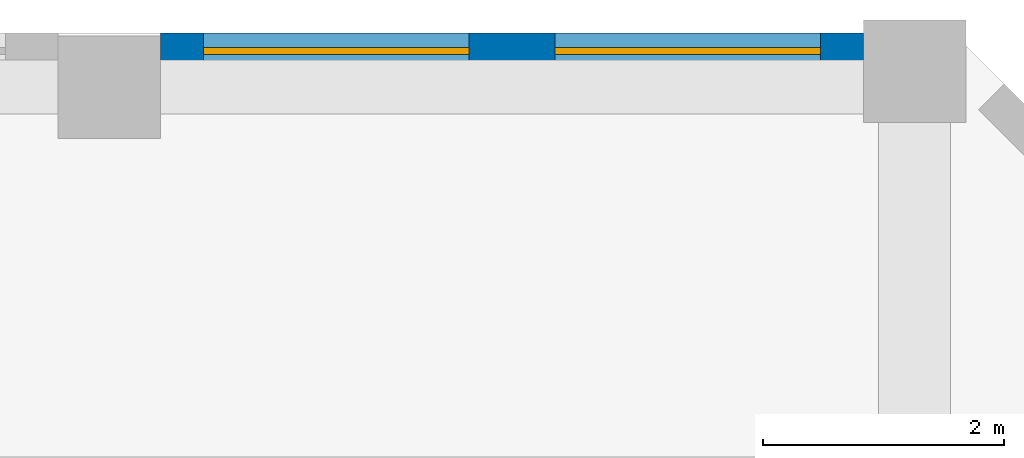
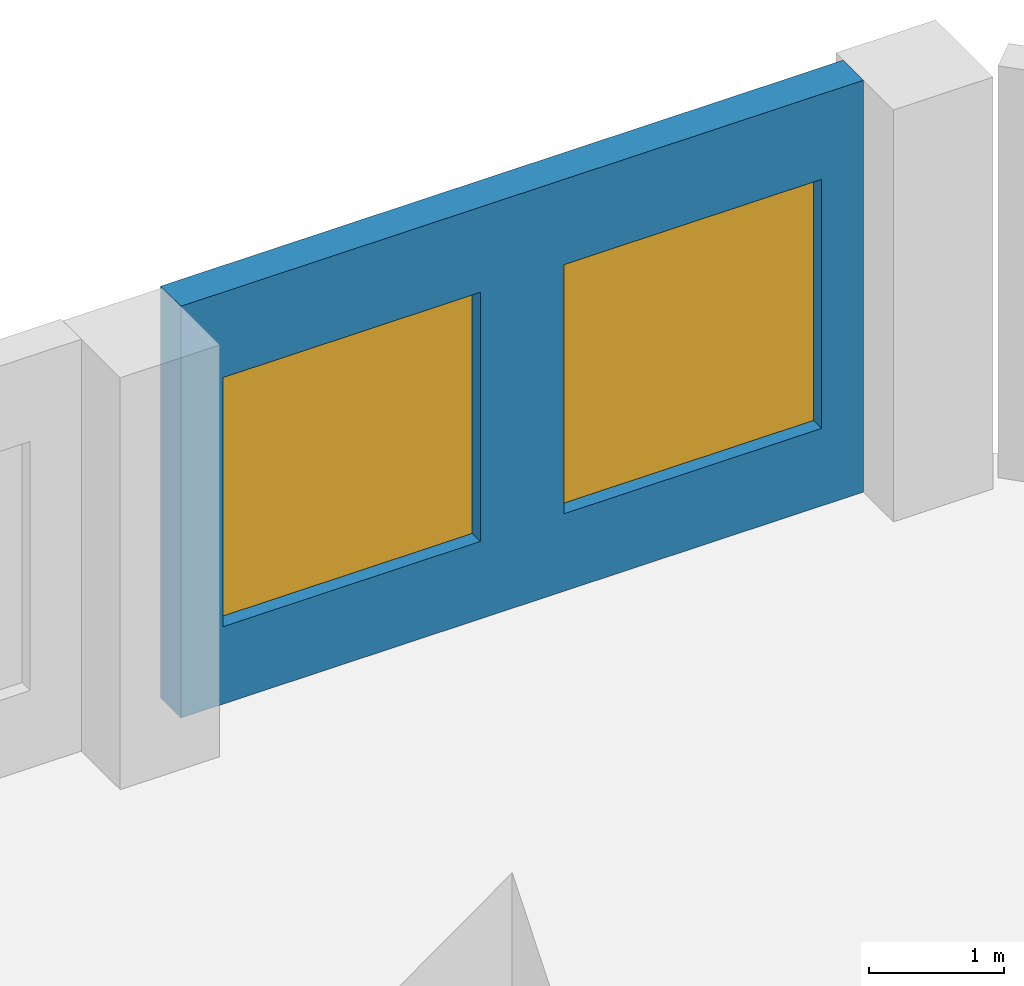
# One storey, part 18 of 27: 2 windows, 1 wall, 2 openings.
"""IFC4 building model written with IfcOpenShell, lengths in metres."""

import ifcopenshell
import ifcopenshell.guid

model = None  # the IFC model being written
_history = None  # IfcOwnerHistory: only IFC2X3 demands one
_inside = {}  # id of a spatial element -> (the spatial element, [elements in it])
_under = {}  # id of a project, library or spatial element -> (it, [spatial elements below it])
_declared = {}  # id of a project -> (the project, [libraries it declares])
_typed = {}  # id of a type object -> (the type object, [elements of that type])
_made_of = {}  # id of a material, layer set ... -> (it, [elements and type objects made of it])


def new_model(schema):
    """Start an empty IFC model of exactly this schema.

    Asked for "IFC4X3", IfcOpenShell would pick the latest addendum, in which some entities
    have other attributes; the version numbers below select the first issue.
    IFC2X3 requires an IfcOwnerHistory on every rooted entity: one is made here for all.
    """
    global model, _history
    if schema == "IFC4X3":
        model = ifcopenshell.file(schema_version=(4, 3, 0, 0))
    else:
        model = ifcopenshell.file(schema=schema)
    _inside.clear()
    _under.clear()
    _declared.clear()
    _typed.clear()
    _made_of.clear()
    _history = None
    if model.schema == "IFC2X3":
        org = make("IfcOrganization", Name="unknown")
        user = make(
            "IfcPersonAndOrganization",
            ThePerson=make("IfcPerson", FamilyName="unknown"),
            TheOrganization=org,
        )
        app = make(
            "IfcApplication",
            ApplicationDeveloper=org,
            Version="unknown",
            ApplicationFullName="unknown",
            ApplicationIdentifier="unknown",
        )
        _history = make(
            "IfcOwnerHistory",
            OwningUser=user,
            OwningApplication=app,
            ChangeAction="ADDED",
            CreationDate=0,
        )
    return model


def make(cls, **values):
    """One entity of the class cls with the attributes given. An attribute that is None is left unset."""
    return model.create_entity(
        cls, **{name: value for name, value in values.items() if value is not None}
    )


def rooted(cls, **values):
    """An entity with a GlobalId (a new one), such as an element, a storey or a relation."""
    return make(cls, GlobalId=ifcopenshell.guid.new(), OwnerHistory=_history, **values)


def si_unit(unit_type, name, prefix=None):
    """IfcSIUnit, for example si_unit("LENGTHUNIT", "METRE", prefix="MILLI")."""
    return make("IfcSIUnit", UnitType=unit_type, Prefix=prefix, Name=name)


def assignment(units):
    """IfcUnitAssignment: the units of a project."""
    return None if units is None else make("IfcUnitAssignment", Units=units)


def point(xyz):
    """IfcCartesianPoint."""
    return None if xyz is None else make("IfcCartesianPoint", Coordinates=xyz)


def direction(xyz):
    """IfcDirection."""
    return None if xyz is None else make("IfcDirection", DirectionRatios=xyz)


def frame(location, z_axis=None, x_axis=None):
    """IfcAxis2Placement3D, a coordinate frame: its origin and axes. An axis left out is left unset."""
    return make(
        "IfcAxis2Placement3D",
        Location=point(location),
        Axis=direction(z_axis),
        RefDirection=direction(x_axis),
    )


def frame_2d(location, x_axis=None):
    """IfcAxis2Placement2D, a coordinate frame in the plane: its origin and x axis."""
    return make(
        "IfcAxis2Placement2D", Location=point(location), RefDirection=direction(x_axis)
    )


def origin():
    """The frame at (0, 0, 0) with its axes left unset."""
    return frame((0.0, 0.0, 0.0))


def place(relative_to, where):
    """IfcLocalPlacement: puts the frame where relative to a parent placement (None: the world)."""
    return make(
        "IfcLocalPlacement", PlacementRelTo=relative_to, RelativePlacement=where
    )


def context(
    kind, dimensions, precision=None, world=None, true_north=None, identifier=None
):
    """IfcGeometricRepresentationContext, for example the 3D "Model" context."""
    return make(
        "IfcGeometricRepresentationContext",
        ContextIdentifier=identifier,
        ContextType=kind,
        CoordinateSpaceDimension=dimensions,
        Precision=precision,
        WorldCoordinateSystem=world,
        TrueNorth=true_north,
    )


def subcontext(parent, identifier, kind, view, scale=None):
    """IfcGeometricRepresentationSubContext, for example "Body" below "Model"."""
    return make(
        "IfcGeometricRepresentationSubContext",
        ContextIdentifier=identifier,
        ContextType=kind,
        ParentContext=parent,
        TargetScale=scale,
        TargetView=view,
    )


def project(units=None, contexts=None):
    """IfcProject with its units and contexts."""
    return rooted(
        "IfcProject",
        Name="project",
        RepresentationContexts=contexts,
        UnitsInContext=assignment(units),
    )


def spatial(cls, under=None, at=None, **own):
    """A site, building, storey or space (cls), placed at a placement, below another one or the project."""
    s = rooted(cls, ObjectPlacement=at, **own)
    if under is not None:
        _under.setdefault(under.id(), (under, []))[1].append(s)
    return s


def profile(cls, at=None, kind="AREA", **sizes):
    """A parametric profile (cls). Its sizes go by their IFC names, for example OverallWidth=200.0."""
    return make(cls, ProfileType=kind, Position=at, **sizes)


def rectangle(**sizes):
    """IfcRectangleProfileDef."""
    return profile("IfcRectangleProfileDef", **sizes)


def extrude(swept, where, along, depth):
    """IfcExtrudedAreaSolid: the profile swept, set in the frame where, extruded along a direction by depth."""
    return make(
        "IfcExtrudedAreaSolid",
        SweptArea=swept,
        Position=where,
        ExtrudedDirection=direction(along),
        Depth=depth,
    )


def shape(context_of_items, identifier, shape_type, items):
    """IfcShapeRepresentation: the items that make up one representation, for example the "Body"."""
    return make(
        "IfcShapeRepresentation",
        ContextOfItems=context_of_items,
        RepresentationIdentifier=identifier,
        RepresentationType=shape_type,
        Items=items,
    )


def source(mapping_origin, context_of_items, identifier, shape_type, items):
    """IfcRepresentationMap: a shape defined once, which mapped items show again and again."""
    return make(
        "IfcRepresentationMap",
        MappingOrigin=mapping_origin,
        MappedRepresentation=shape(context_of_items, identifier, shape_type, items),
    )


def transform(
    local_origin,
    x_axis=None,
    y_axis=None,
    z_axis=None,
    scale=None,
    scale2=None,
    scale3=None,
    uniform=True,
):
    """IfcCartesianTransformationOperator3D, or its non-uniform kind. x_axis, y_axis, z_axis: its Axis1, 2, 3."""
    if uniform:
        return make(
            "IfcCartesianTransformationOperator3D",
            Axis1=direction(x_axis),
            Axis2=direction(y_axis),
            LocalOrigin=point(local_origin),
            Scale=scale,
            Axis3=direction(z_axis),
        )
    return make(
        "IfcCartesianTransformationOperator3DnonUniform",
        Axis1=direction(x_axis),
        Axis2=direction(y_axis),
        LocalOrigin=point(local_origin),
        Scale=scale,
        Axis3=direction(z_axis),
        Scale2=scale2,
        Scale3=scale3,
    )


def mapped(mapping_source, mapping_target):
    """IfcMappedItem: shows the shape of a source again, moved by a transform."""
    return make(
        "IfcMappedItem", MappingSource=mapping_source, MappingTarget=mapping_target
    )


def material(Name=None, Category=None):
    """IfcMaterial."""
    return make("IfcMaterial", Name=Name, Category=Category)


def layer(
    of_material, thickness, ventilated=None, Name=None, Category=None, Priority=None
):
    """IfcMaterialLayer: one layer of a wall or slab, of a material (None: an air gap)."""
    return make(
        "IfcMaterialLayer",
        Material=of_material,
        LayerThickness=thickness,
        IsVentilated=ventilated,
        Name=Name,
        Category=Category,
        Priority=Priority,
    )


def layer_set(layers, Name=None):
    """IfcMaterialLayerSet."""
    return make("IfcMaterialLayerSet", MaterialLayers=layers, LayerSetName=Name)


def made_of(thing, what):
    """Note that an element or type object is made of a material, layer set ...; save() writes the relation."""
    if what is not None:
        _made_of.setdefault(what.id(), (what, []))[1].append(thing)
    return thing


def type_object(cls, material=None, **own):
    """A type object (cls), such as IfcWallType, which elements share."""
    return made_of(rooted(cls, **own), material)


def element(
    cls,
    number,
    at=None,
    inside=None,
    cuts=None,
    type_object=None,
    material=None,
    context=None,
    identifier="Body",
    shape_type=None,
    held_by="IfcProductDefinitionShape",
    body=None,
    shapes=None,
    **own,
):
    """One element of the class cls, such as IfcWall. Its Tag is "e" and its number.

    at: its placement. inside: the storey or other place that contains it. cuts: it is an
    opening in that element (IfcRelVoidsElement). A single representation is given by context,
    identifier, shape_type and body (its items); several are given by shapes. held_by: the class
    of the entity that holds the representations. save() writes the other relations.
    """
    e = rooted(cls, Tag="e%d" % number, ObjectPlacement=at, **own)
    if body is not None:
        shapes = [shape(context, identifier, shape_type, body)]
    if shapes is not None:
        e.Representation = make(held_by, Representations=shapes)
    if inside is not None:
        _inside.setdefault(inside.id(), (inside, []))[1].append(e)
    if cuts is not None:
        rooted(
            "IfcRelVoidsElement", RelatingBuildingElement=cuts, RelatedOpeningElement=e
        )
    if type_object is not None:
        _typed.setdefault(type_object.id(), (type_object, []))[1].append(e)
    return made_of(e, material)


def fill(opening, filler):
    """IfcRelFillsElement: the door or window that sits in an opening."""
    return rooted(
        "IfcRelFillsElement",
        RelatingOpeningElement=opening,
        RelatedBuildingElement=filler,
    )


def aggregate(whole, parts):
    """IfcRelAggregates: a whole, such as a stair, and the parts it consists of."""
    return rooted("IfcRelAggregates", RelatingObject=whole, RelatedObjects=parts)


def save(model, path):
    """Write the relations noted so far, then the file.

    IfcRelAggregates (storeys below a building ...), IfcRelContainedInSpatialStructure (elements
    in a storey), IfcRelDefinesByType, IfcRelAssociatesMaterial and IfcRelDeclares: one each for
    every whole, place, type object, material and project.
    """
    for whole, parts in _under.values():
        aggregate(whole, parts)
    for where, things in _inside.values():
        rooted(
            "IfcRelContainedInSpatialStructure",
            RelatedElements=things,
            RelatingStructure=where,
        )
    for kind, things in _typed.values():
        rooted("IfcRelDefinesByType", RelatedObjects=things, RelatingType=kind)
    for what, things in _made_of.values():
        rooted("IfcRelAssociatesMaterial", RelatedObjects=things, RelatingMaterial=what)
    for by, libraries in _declared.values():
        rooted("IfcRelDeclares", RelatingContext=by, RelatedDefinitions=libraries)
    model.write(path)


model = new_model("IFC4")

# Units and contexts
model_context = context("Model", 3, precision=1e-05, world=origin(), true_north=direction((0.0, 1.0)))
body_context = subcontext(model_context, "Body", "Model", "MODEL_VIEW")
ifc_project = project(units=[si_unit("LENGTHUNIT", "METRE"), si_unit("AREAUNIT", "SQUARE_METRE"), si_unit("VOLUMEUNIT", "CUBIC_METRE"), si_unit("PLANEANGLEUNIT", "RADIAN"), si_unit("MASSUNIT", "GRAM", prefix="KILO")], contexts=[model_context])

# Site, building, storey
site_placement = place(None, origin())
site = spatial("IfcSite", under=ifc_project, at=site_placement, CompositionType="ELEMENT")
building_placement = place(site_placement, origin())
building = spatial("IfcBuilding", under=site, at=building_placement, Name="Kilnfold Tower and Market Hall", CompositionType="ELEMENT")
storey_placement = place(building_placement, frame((0.0, 0.0, 116.60009765625)))
storey = spatial("IfcBuildingStorey", under=building, at=storey_placement, Name="L27", CompositionType="ELEMENT", Elevation=116.60009765625)

# Wall, openings, windows
ifc_material_1 = material(Name="Precast concrete C50/60", Category="concrete")
ifc_layer = layer(ifc_material_1, 0.300048828125)
ifc_layer_set = layer_set([ifc_layer], Name="Precast concrete C50/60")
wall_type = type_object("IfcWallType", Name="PRECAST WALL 300", PredefinedType="SOLIDWALL", material=ifc_layer_set)
shared_shape = source(origin(), body_context, "Body", "SweptSolid", [
    extrude(rectangle(XDim=5.831787109375, YDim=0.300048828125, at=frame_2d((2.916015625, 0.0))), origin(), (0.0, 0.0, 1.0), 3.719970703125),
])
wall_placement = place(storey_placement, frame((28.7568359375, 32.85009765625, 0.0), z_axis=(0.0, 0.0, 1.0), x_axis=(-1.0, 0.0, 0.0)))
wall = element("IfcWall", 1, at=wall_placement, inside=storey, type_object=wall_type, Name="External wall L27 N", PredefinedType="SOLIDWALL", context=body_context, shape_type="MappedRepresentation", body=[
    mapped(shared_shape, transform((0.0, 0.0, 0.0))),
])
opening_1_placement = place(wall_placement, frame((0.35791015625, 0.0, 0.699951171875)))
opening_1 = element("IfcOpeningElement", 2, at=opening_1_placement, cuts=wall, Name="Opening W1", PredefinedType="OPENING", context=body_context, shape_type="SweptSolid", body=[
    extrude(rectangle(XDim=2.199951171875, YDim=2.25, at=frame_2d((1.10009765625, 1.125))), frame((0.0, 0.16015625, 0.0), z_axis=(0.0, -1.0, 0.0), x_axis=(1.0, 0.0, 0.0)), (0.0, 0.0, 1.0), 0.320068359375),
])
opening_2_placement = place(wall_placement, frame((3.273681640625, 0.0, 0.699951171875)))
opening_2 = element("IfcOpeningElement", 3, at=opening_2_placement, cuts=wall, Name="Opening W1", PredefinedType="OPENING", context=body_context, shape_type="SweptSolid", body=[
    extrude(rectangle(XDim=2.199951171875, YDim=2.25, at=frame_2d((1.10009765625, 1.125))), frame((0.0, 0.16015625, 0.0), z_axis=(0.0, -1.0, 0.0), x_axis=(1.0, 0.0, 0.0)), (0.0, 0.0, 1.0), 0.320068359375),
])
ifc_material_2 = material(Name="Aluminium frame and double glazing", Category="aluminium")
window_type = type_object("IfcWindowType", Name="WINDOW W1 2200X2250", PartitioningType="SINGLE_PANEL", PredefinedType="WINDOW", material=ifc_material_2)
window_1_placement = place(opening_1_placement, origin())
window_1 = element("IfcWindow", 4, at=window_1_placement, inside=storey, type_object=window_type, Name="Window W1 L27 N-1", OverallHeight=2.25, OverallWidth=2.199951171875, PartitioningType="SINGLE_PANEL", PredefinedType="WINDOW", context=body_context, shape_type="SweptSolid", body=[
    extrude(rectangle(XDim=2.199951171875, YDim=2.25, at=frame_2d((1.10009765625, 1.125))), frame((0.0, 0.030029296875, 0.0), z_axis=(0.0, -1.0, 0.0), x_axis=(1.0, 0.0, 0.0)), (0.0, 0.0, 1.0), 0.06005859375),
])
fill(opening_1, window_1)
window_2_placement = place(opening_2_placement, origin())
window_2 = element("IfcWindow", 5, at=window_2_placement, inside=storey, type_object=window_type, Name="Window W1 L27 N-2", OverallHeight=2.25, OverallWidth=2.199951171875, PartitioningType="SINGLE_PANEL", PredefinedType="WINDOW", context=body_context, shape_type="SweptSolid", body=[
    extrude(rectangle(XDim=2.199951171875, YDim=2.25, at=frame_2d((1.10009765625, 1.125))), frame((0.0, 0.030029296875, 0.0), z_axis=(0.0, -1.0, 0.0), x_axis=(1.0, 0.0, 0.0)), (0.0, 0.0, 1.0), 0.06005859375),
])
fill(opening_2, window_2)

save(model, "model.ifc")
